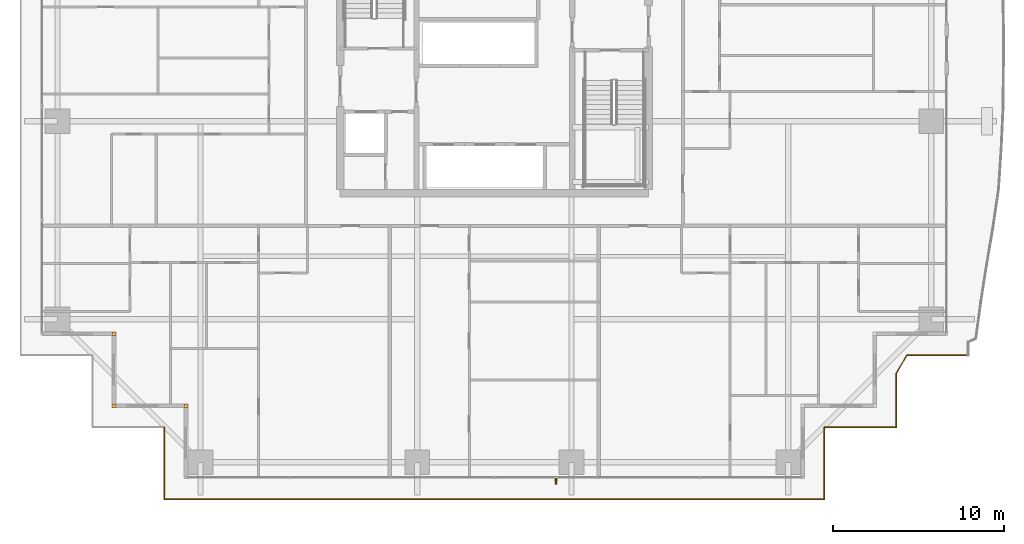
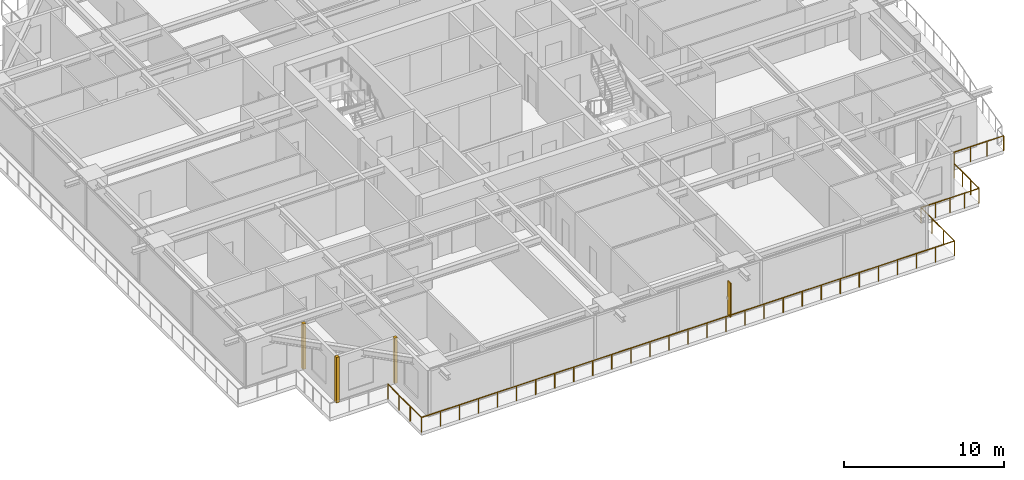
# One storey, part 33 of 38: 3 coverings, 1 railing, 1 shading device.
"""IFC4 building model written with IfcOpenShell, lengths in metres."""

from ifc_helpers import new_model, si_unit, direction, frame, origin, origin_2d, place, context, subcontext, project, spatial, rectangle, circle, extrude, source, transform, mapped, material, layer, layer_set, type_object, element, save


model = new_model("IFC4")

# Units and contexts
model_context = context("Model", 3, precision=1e-05, world=origin(), true_north=direction((0.0, 1.0)))
body_context = subcontext(model_context, "Body", "Model", "MODEL_VIEW")
ifc_project = project(units=[si_unit("LENGTHUNIT", "METRE"), si_unit("AREAUNIT", "SQUARE_METRE"), si_unit("VOLUMEUNIT", "CUBIC_METRE"), si_unit("PLANEANGLEUNIT", "RADIAN"), si_unit("MASSUNIT", "GRAM", prefix="KILO")], contexts=[model_context])

# Site, building, storey
site_placement = place(None, origin())
site = spatial("IfcSite", under=ifc_project, at=site_placement, CompositionType="ELEMENT")
building_placement = place(site_placement, origin())
building = spatial("IfcBuilding", under=site, at=building_placement, Name="Serunith Strait Residences", CompositionType="ELEMENT")
storey_placement = place(building_placement, frame((0.0, 0.0, 30.449951171875)))
storey = spatial("IfcBuildingStorey", under=building, at=storey_placement, Name="L06", CompositionType="ELEMENT", Elevation=30.449951171875)

# Railing
ifc_material_1 = material(Name="Stainless Steel & Laminated Glass Balustrade", Category="steel")
railing_type = type_object("IfcRailingType", Name="RLG-BALC-1150", PredefinedType="BALUSTRADE", material=ifc_material_1)
railing_placement = place(storey_placement, frame((60.06005859375, 7.340087890625, -0.050048828125)))
element("IfcRailing", 1, at=railing_placement, inside=storey, type_object=railing_type, Name="L06 Swirling Balcony Perimeter Balustrade 7", PredefinedType="BALUSTRADE", context=body_context, shape_type="SweptSolid", body=[
    extrude(circle(Radius=0.02392578125, at=origin_2d()), frame((-0.001953125, 0.0, 1.1259765625), z_axis=(-1.0, 0.0, 0.0), x_axis=(0.0, -1.0, 0.0)), (0.0, 0.0, 1.0), 3.5869140625),
    extrude(circle(Radius=0.02392578125, at=origin_2d()), frame((-3.591796875, -0.001708984375, 1.1259765625), z_axis=(-0.495646802969, -0.868524177387, 0.0), x_axis=(0.868524177387, -0.495646802969, 0.0)), (0.0, 0.0, 1.0), 1.224853515625),
    extrude(circle(Radius=0.02392578125, at=origin_2d()), frame((-4.199951171875, -1.0693359375, 1.1259765625), z_axis=(0.0, -1.0, 0.0), x_axis=(1.0, 0.0, 0.0)), (0.0, 0.0, 1.0), 3.12890625),
    extrude(circle(Radius=0.02392578125, at=origin_2d()), frame((-4.201904296875, -4.2001953125, 1.1259765625), z_axis=(-1.0, 0.0, 0.0), x_axis=(0.0, -1.0, 0.0)), (0.0, 0.0, 1.0), 4.1962890625),
    extrude(circle(Radius=0.02392578125, at=origin_2d()), frame((-8.400146484375, -4.2021484375, 1.1259765625), z_axis=(0.0, -1.0, 0.0), x_axis=(1.0, 0.0, 0.0)), (0.0, 0.0, 1.0), 4.196044921875),
    extrude(circle(Radius=0.02392578125, at=origin_2d()), frame((-8.402099609375, -8.400146484375, 1.1259765625), z_axis=(-1.0, 0.0, 0.0), x_axis=(0.0, -1.0, 0.0)), (0.0, 0.0, 1.0), 38.51611328125),
    extrude(circle(Radius=0.02392578125, at=origin_2d()), frame((-46.920166015625, -8.398193359375, 1.1259765625), z_axis=(0.0, 1.0, 0.0), x_axis=(-1.0, 0.0, 0.0)), (0.0, 0.0, 1.0), 4.196044921875),
    extrude(circle(Radius=0.02099609375, at=origin_2d()), origin(), (0.0, 0.0, 1.0), 1.099853515625),
    extrude(circle(Radius=0.02099609375, at=origin_2d()), frame((-1.197021484375, 0.0, 0.0)), (0.0, 0.0, 1.0), 1.099853515625),
    extrude(circle(Radius=0.02099609375, at=origin_2d()), frame((-2.393798828125, 0.0, 0.0)), (0.0, 0.0, 1.0), 1.099853515625),
    extrude(circle(Radius=0.02099609375, at=origin_2d()), frame((-3.5908203125, 0.0, 0.0)), (0.0, 0.0, 1.0), 1.099853515625),
    extrude(circle(Radius=0.02099609375, at=origin_2d()), frame((-4.199951171875, -1.0673828125, 0.0)), (0.0, 0.0, 1.0), 1.099853515625),
    extrude(circle(Radius=0.02099609375, at=origin_2d()), frame((-4.199951171875, -2.111572265625, 0.0)), (0.0, 0.0, 1.0), 1.099853515625),
    extrude(circle(Radius=0.02099609375, at=origin_2d()), frame((-4.199951171875, -3.156005859375, 0.0)), (0.0, 0.0, 1.0), 1.099853515625),
    extrude(circle(Radius=0.02099609375, at=origin_2d()), frame((-4.199951171875, -4.2001953125, 0.0)), (0.0, 0.0, 1.0), 1.099853515625),
    extrude(circle(Radius=0.02099609375, at=origin_2d()), frame((-5.25, -4.2001953125, 0.0)), (0.0, 0.0, 1.0), 1.099853515625),
    extrude(circle(Radius=0.02099609375, at=origin_2d()), frame((-6.300048828125, -4.2001953125, 0.0)), (0.0, 0.0, 1.0), 1.099853515625),
    extrude(circle(Radius=0.02099609375, at=origin_2d()), frame((-7.35009765625, -4.2001953125, 0.0)), (0.0, 0.0, 1.0), 1.099853515625),
    extrude(circle(Radius=0.02099609375, at=origin_2d()), frame((-8.400146484375, -4.2001953125, 0.0)), (0.0, 0.0, 1.0), 1.099853515625),
    extrude(circle(Radius=0.02099609375, at=origin_2d()), frame((-8.400146484375, -5.60009765625, 0.0)), (0.0, 0.0, 1.0), 1.099853515625),
    extrude(circle(Radius=0.02099609375, at=origin_2d()), frame((-8.400146484375, -7.000244140625, 0.0)), (0.0, 0.0, 1.0), 1.099853515625),
    extrude(circle(Radius=0.02099609375, at=origin_2d()), frame((-8.400146484375, -8.400146484375, 0.0)), (0.0, 0.0, 1.0), 1.099853515625),
    extrude(circle(Radius=0.02099609375, at=origin_2d()), frame((-9.77587890625, -8.400146484375, 0.0)), (0.0, 0.0, 1.0), 1.099853515625),
    extrude(circle(Radius=0.02099609375, at=origin_2d()), frame((-11.151611328125, -8.400146484375, 0.0)), (0.0, 0.0, 1.0), 1.099853515625),
    extrude(circle(Radius=0.02099609375, at=origin_2d()), frame((-12.52734375, -8.400146484375, 0.0)), (0.0, 0.0, 1.0), 1.099853515625),
    extrude(circle(Radius=0.02099609375, at=origin_2d()), frame((-13.903076171875, -8.400146484375, 0.0)), (0.0, 0.0, 1.0), 1.099853515625),
    extrude(circle(Radius=0.02099609375, at=origin_2d()), frame((-15.27880859375, -8.400146484375, 0.0)), (0.0, 0.0, 1.0), 1.099853515625),
    extrude(circle(Radius=0.02099609375, at=origin_2d()), frame((-16.654541015625, -8.400146484375, 0.0)), (0.0, 0.0, 1.0), 1.099853515625),
    extrude(circle(Radius=0.02099609375, at=origin_2d()), frame((-18.0302734375, -8.400146484375, 0.0)), (0.0, 0.0, 1.0), 1.099853515625),
    extrude(circle(Radius=0.02099609375, at=origin_2d()), frame((-19.40576171875, -8.400146484375, 0.0)), (0.0, 0.0, 1.0), 1.099853515625),
    extrude(circle(Radius=0.02099609375, at=origin_2d()), frame((-20.781494140625, -8.400146484375, 0.0)), (0.0, 0.0, 1.0), 1.099853515625),
    extrude(circle(Radius=0.02099609375, at=origin_2d()), frame((-22.1572265625, -8.400146484375, 0.0)), (0.0, 0.0, 1.0), 1.099853515625),
    extrude(circle(Radius=0.02099609375, at=origin_2d()), frame((-23.532958984375, -8.400146484375, 0.0)), (0.0, 0.0, 1.0), 1.099853515625),
    extrude(circle(Radius=0.02099609375, at=origin_2d()), frame((-24.90869140625, -8.400146484375, 0.0)), (0.0, 0.0, 1.0), 1.099853515625),
    extrude(circle(Radius=0.02099609375, at=origin_2d()), frame((-26.284423828125, -8.400146484375, 0.0)), (0.0, 0.0, 1.0), 1.099853515625),
    extrude(circle(Radius=0.02099609375, at=origin_2d()), frame((-27.66015625, -8.400146484375, 0.0)), (0.0, 0.0, 1.0), 1.099853515625),
    extrude(circle(Radius=0.02099609375, at=origin_2d()), frame((-29.035888671875, -8.400146484375, 0.0)), (0.0, 0.0, 1.0), 1.099853515625),
    extrude(circle(Radius=0.02099609375, at=origin_2d()), frame((-30.41162109375, -8.400146484375, 0.0)), (0.0, 0.0, 1.0), 1.099853515625),
    extrude(circle(Radius=0.02099609375, at=origin_2d()), frame((-31.787353515625, -8.400146484375, 0.0)), (0.0, 0.0, 1.0), 1.099853515625),
    extrude(circle(Radius=0.02099609375, at=origin_2d()), frame((-33.1630859375, -8.400146484375, 0.0)), (0.0, 0.0, 1.0), 1.099853515625),
    extrude(circle(Radius=0.02099609375, at=origin_2d()), frame((-34.538818359375, -8.400146484375, 0.0)), (0.0, 0.0, 1.0), 1.099853515625),
    extrude(circle(Radius=0.02099609375, at=origin_2d()), frame((-35.91455078125, -8.400146484375, 0.0)), (0.0, 0.0, 1.0), 1.099853515625),
    extrude(circle(Radius=0.02099609375, at=origin_2d()), frame((-37.2900390625, -8.400146484375, 0.0)), (0.0, 0.0, 1.0), 1.099853515625),
    extrude(circle(Radius=0.02099609375, at=origin_2d()), frame((-38.665771484375, -8.400146484375, 0.0)), (0.0, 0.0, 1.0), 1.099853515625),
    extrude(circle(Radius=0.02099609375, at=origin_2d()), frame((-40.04150390625, -8.400146484375, 0.0)), (0.0, 0.0, 1.0), 1.099853515625),
    extrude(circle(Radius=0.02099609375, at=origin_2d()), frame((-41.417236328125, -8.400146484375, 0.0)), (0.0, 0.0, 1.0), 1.099853515625),
    extrude(circle(Radius=0.02099609375, at=origin_2d()), frame((-42.79296875, -8.400146484375, 0.0)), (0.0, 0.0, 1.0), 1.099853515625),
    extrude(circle(Radius=0.02099609375, at=origin_2d()), frame((-44.168701171875, -8.400146484375, 0.0)), (0.0, 0.0, 1.0), 1.099853515625),
    extrude(circle(Radius=0.02099609375, at=origin_2d()), frame((-45.54443359375, -8.400146484375, 0.0)), (0.0, 0.0, 1.0), 1.099853515625),
    extrude(circle(Radius=0.02099609375, at=origin_2d()), frame((-46.920166015625, -8.400146484375, 0.0)), (0.0, 0.0, 1.0), 1.099853515625),
    extrude(circle(Radius=0.02099609375, at=origin_2d()), frame((-46.920166015625, -7.000244140625, 0.0)), (0.0, 0.0, 1.0), 1.099853515625),
    extrude(circle(Radius=0.02099609375, at=origin_2d()), frame((-46.920166015625, -5.60009765625, 0.0)), (0.0, 0.0, 1.0), 1.099853515625),
    extrude(circle(Radius=0.02099609375, at=origin_2d()), frame((-46.920166015625, -4.2001953125, 0.0)), (0.0, 0.0, 1.0), 1.099853515625),
])

# Coverings
ifc_material_2 = material(Name="Pale-Champagne Anodised Aluminium", Category="aluminium")
ifc_layer = layer(ifc_material_2, 0.219970703125, Name="Pale-Champagne Anodised Aluminium")
ifc_layer_set = layer_set([ifc_layer], Name="Pale-Champagne Anodised Aluminium")
covering_type = type_object("IfcCoveringType", Name="COV-CORN-TRIM", PredefinedType="CLADDING", material=ifc_layer_set)
shared_shape_1 = source(origin(), body_context, "Body", "SweptSolid", [
    extrude(rectangle(XDim=0.221923828125, YDim=0.221923828125, at=origin_2d()), origin(), (0.0, 0.0, 1.0), 3.47509765625),
])
for number, where, z_axis, x_axis, name in (
    (2, (10.199951171875, 8.60009765625, 0.0), (0.0, 0.0, 1.0), (1.0, 0.0, 0.0), "L06 Girih Serrated Corner Trim Post 17"),
    (3, (10.199951171875, 4.39990234375, 0.0), (0.0, 0.0, 1.0), (1.0, 0.0, 0.0), "L06 Girih Serrated Corner Trim Post 18"),
    (4, (14.39990234375, 4.39990234375, 0.0), (0.0, 0.0, 1.0), (1.0, 0.0, 0.0), "L06 Girih Serrated Corner Trim Post 19"),
):
    element("IfcCovering", number, at=place(storey_placement, frame(where, z_axis=z_axis, x_axis=x_axis)), inside=storey, type_object=covering_type, Name=name, PredefinedType="CLADDING", context=body_context, shape_type="MappedRepresentation", body=[
        mapped(shared_shape_1, transform((0.0, 0.0, 0.0), scale=1.0)),
    ])

# Shading device
ifc_material_3 = material(Name="Pale-Champagne Perforated Aluminium Fin", Category="aluminium")
shading_device_type = type_object("IfcShadingDeviceType", Name="SHD-DIAG-FIN", PredefinedType="AWNING", material=ifc_material_3)
shared_shape_2 = source(origin(), body_context, "Body", "SweptSolid", [
    extrude(rectangle(XDim=0.080078125, YDim=0.35009765625, at=origin_2d()), origin(), (0.0, 0.0, 1.0), 2.60009765625),
])
shading_device_placement = place(storey_placement, frame((36.0, -0.02001953125, 0.199951171875), z_axis=(0.0, 0.0, 1.0), x_axis=(1.0, 0.0, 0.0)))
element("IfcShadingDevice", 5, at=shading_device_placement, inside=storey, type_object=shading_device_type, Name="L06 Diagonal Rhythm Solar Fin S", PredefinedType="AWNING", context=body_context, shape_type="MappedRepresentation", body=[
    mapped(shared_shape_2, transform((0.0, 0.0, 0.0), scale=1.0)),
])

save(model, "model.ifc")
